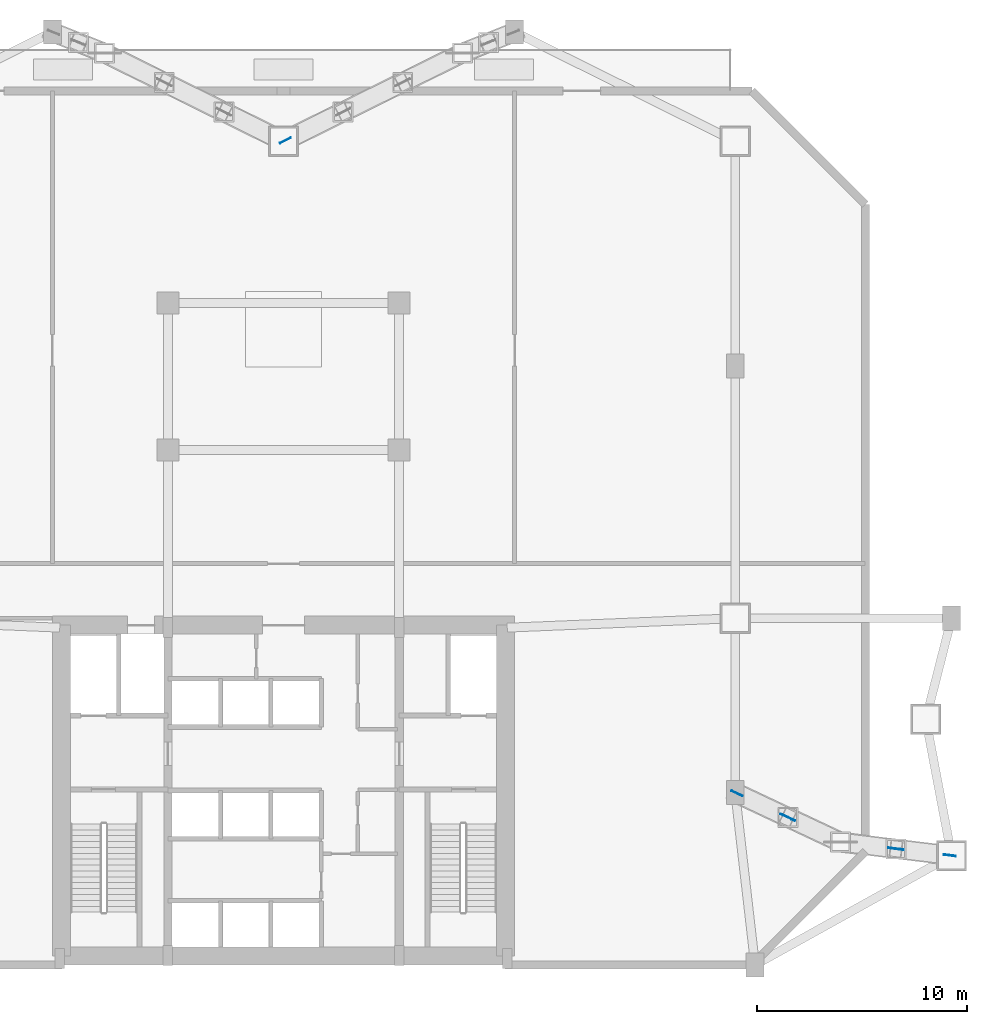
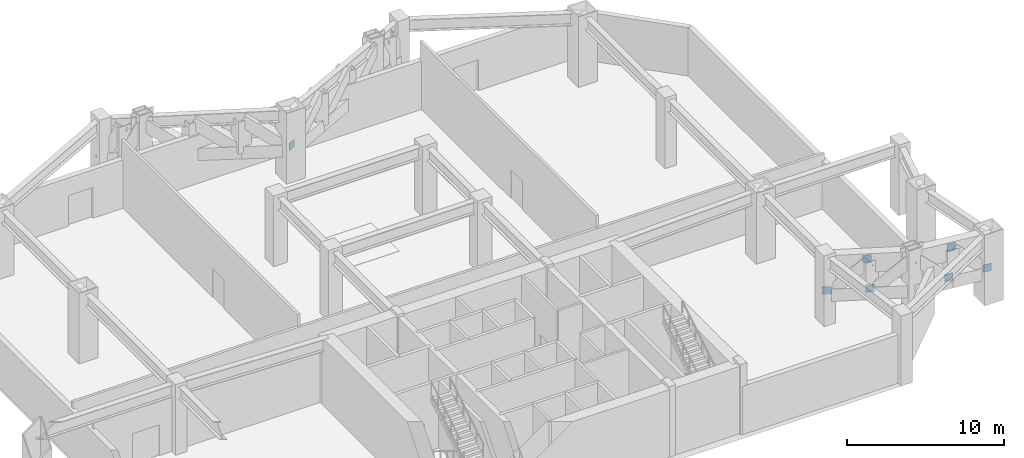
# One storey, part 4 of 9: 7 plates.
"""IFC4 building model written with IfcOpenShell, lengths in metres."""

from ifc_helpers import new_model, si_unit, direction, frame, origin, origin_2d, place, context, subcontext, project, spatial, rectangle, extrude, source, transform, mapped, material, layer, layer_set, type_object, element, save


model = new_model("IFC4")

# Units and contexts
model_context = context("Model", 3, precision=1e-05, world=origin(), true_north=direction((0.0, 1.0)))
body_context = subcontext(model_context, "Body", "Model", "MODEL_VIEW")
ifc_project = project(units=[si_unit("LENGTHUNIT", "METRE"), si_unit("AREAUNIT", "SQUARE_METRE"), si_unit("VOLUMEUNIT", "CUBIC_METRE"), si_unit("PLANEANGLEUNIT", "RADIAN"), si_unit("MASSUNIT", "GRAM", prefix="KILO")], contexts=[model_context])

# Site, building, storey
site_placement = place(None, origin())
site = spatial("IfcSite", under=ifc_project, at=site_placement, CompositionType="ELEMENT")
building_placement = place(site_placement, origin())
building = spatial("IfcBuilding", under=site, at=building_placement, Name="Varnakhor Terracotta Tower", CompositionType="ELEMENT")
storey_placement = place(building_placement, frame((0.0, 0.0, 22.0)))
storey = spatial("IfcBuildingStorey", under=building, at=storey_placement, Name="L04", CompositionType="ELEMENT", Elevation=22.0)

# Plates
ifc_material = material(Name="Steel S460", Category="steel")
ifc_layer = layer(ifc_material, 0.06005859375, Name="Steel S460")
ifc_layer_set = layer_set([ifc_layer], Name="Steel S460")
plate_type = type_object("IfcPlateType", Name="PLT-GUSSET-60", PredefinedType="USERDEFINED", material=ifc_layer_set)
shared_shape = source(origin(), body_context, "Body", "SweptSolid", [
    extrude(rectangle(XDim=0.580078125, YDim=0.0400390625, at=origin_2d()), origin(), (0.0, 0.0, 1.0), 0.580078125),
])
for number, where, z_axis, x_axis, name in (
    (1, (21.580810546875, 8.162109375, 2.0400390625), (0.0, 0.0, 1.0), (0.904864205273, -0.425700328888, 0.0), "L04 Brace End Connection Plate 1"),
    (2, (23.923828125, 7.0595703125, 4.35986328125), (0.0, 0.0, 1.0), (0.904864205273, -0.425700328888, 0.0), "L04 Brace End Connection Plate 2"),
    (3, (24.085693359375, 6.983642578125, 2.0400390625), (0.0, 0.0, 1.0), (0.904871635008, -0.425684535963, 0.0), "L04 Brace End Connection Plate 3"),
    (4, (31.712890625, 5.210693359375, 2.041748046875), (0.0, 0.0, 1.0), (-0.992685876505, 0.120725931714, 0.0), "L04 Brace End Connection Plate 4"),
    (5, (29.241943359375, 5.510986328125, 4.358154296875), (0.0, 0.0, 1.0), (-0.992685876505, 0.120725931714, 0.0), "L04 Brace End Connection Plate 5"),
    (6, (29.0673828125, 5.5322265625, 2.041748046875), (0.0, 0.0, 1.0), (-0.99269009003, 0.120691280366, 0.0), "L04 Brace End Connection Plate 6"),
    (7, (0.084716796875, 39.24169921875, 2.033935546875), (0.0, 0.0, 1.0), (0.896525092225, 0.442992955938, 0.0), "L04 Brace End Connection Plate 7"),
):
    element("IfcPlate", number, at=place(storey_placement, frame(where, z_axis=z_axis, x_axis=x_axis)), inside=storey, type_object=plate_type, Name=name, ObjectType="GUSSET PLATE", PredefinedType="USERDEFINED", context=body_context, shape_type="MappedRepresentation", body=[
        mapped(shared_shape, transform((0.0, 0.0, 0.0), scale=1.0)),
    ])

save(model, "model.ifc")
